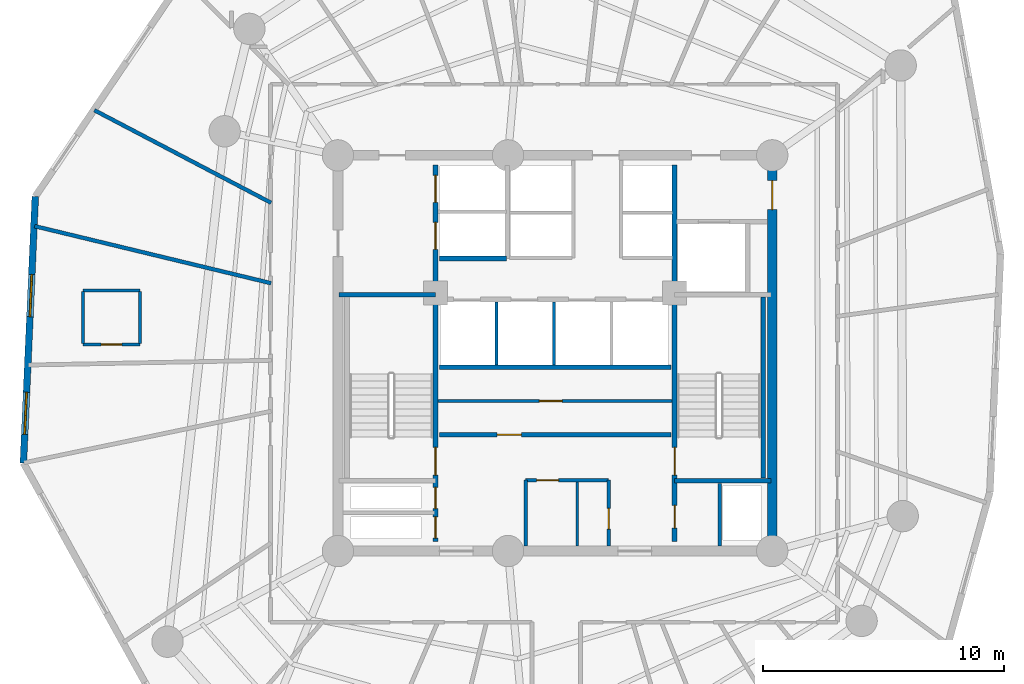
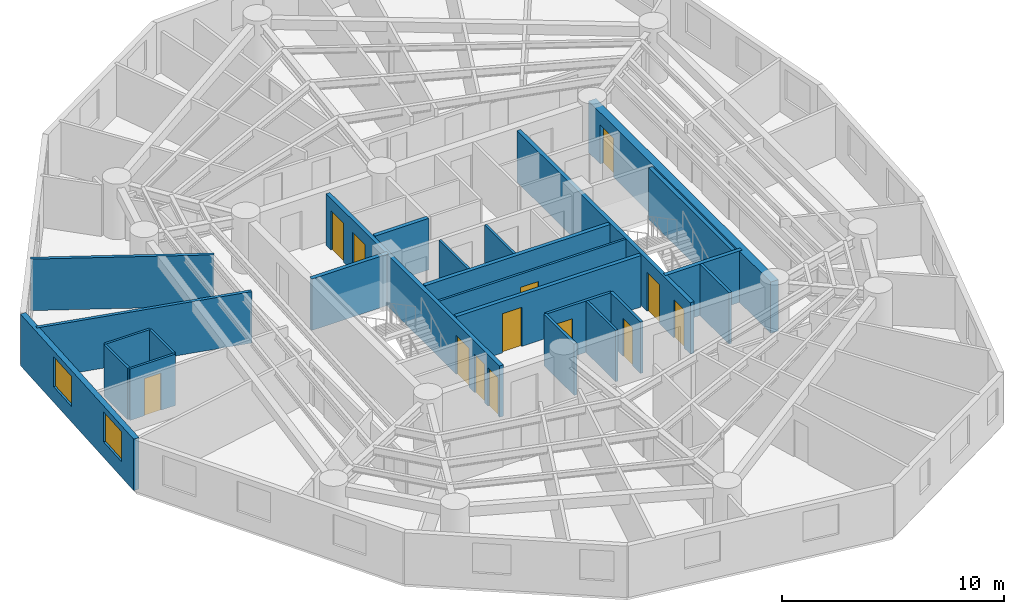
# One storey, part 4 of 8: 24 walls, 13 doors, 2 windows, 15 openings.
"""IFC4 building model written with IfcOpenShell, lengths in metres."""

from ifc_helpers import new_model, si_unit, direction, frame, frame_2d, origin, origin_with_axes, place, context, subcontext, project, spatial, rectangle, extrude, source, transform, mapped, material, layer, layer_set, type_object, element, fill, save


model = new_model("IFC4")

# Units and contexts
model_context = context("Model", 3, precision=1e-05, world=origin(), true_north=direction((0.0, 1.0)))
body_context = subcontext(model_context, "Body", "Model", "MODEL_VIEW")
ifc_project = project(units=[si_unit("LENGTHUNIT", "METRE"), si_unit("AREAUNIT", "SQUARE_METRE"), si_unit("VOLUMEUNIT", "CUBIC_METRE"), si_unit("PLANEANGLEUNIT", "RADIAN"), si_unit("MASSUNIT", "GRAM", prefix="KILO")], contexts=[model_context])

# Site, building, storey
site_placement = place(None, origin())
site = spatial("IfcSite", under=ifc_project, at=site_placement, CompositionType="ELEMENT")
building_placement = place(site_placement, origin())
building = spatial("IfcBuilding", under=site, at=building_placement, Name="Karkom Vertical University and Central Library", CompositionType="ELEMENT")
storey_placement = place(building_placement, frame((0.0, 0.0, 180.949951171875)))
storey = spatial("IfcBuildingStorey", under=building, at=storey_placement, Name="L52", CompositionType="ELEMENT", Elevation=180.949951171875)

# Wall, openings, windows
ifc_material_1 = material(Name="Brick-faced precast concrete C45/55", Category="masonry")
ifc_layer_1 = layer(ifc_material_1, 0.280029296875)
ifc_layer_set_1 = layer_set([ifc_layer_1], Name="Brick-faced precast concrete C45/55")
wall_type_1 = type_object("IfcWallType", Name="ENV-WL-BRK-280", PredefinedType="SOLIDWALL", material=ifc_layer_set_1)
wall_1_placement = place(storey_placement, frame((6.95703125, 33.000244140625, 0.0), z_axis=(0.0, 0.0, 1.0), x_axis=(-0.04466588637, -0.999001981277, 0.0)))
wall_1 = element("IfcWall", 1, at=wall_1_placement, inside=storey, type_object=wall_type_1, Name="Level 52 Brick-Faced Precast Facade Wall 01", PredefinedType="SOLIDWALL", context=body_context, shape_type="SweptSolid", body=[
    extrude(rectangle(XDim=11.06298828125, YDim=0.280029296875, at=frame_2d((5.531494140625, 0.0))), origin(), (0.0, 0.0, 1.0), 2.824951171875),
])
opening_1_placement = place(wall_1_placement, frame((3.24169921875, 0.0, 0.85009765625)))
opening_1 = element("IfcOpeningElement", 2, at=opening_1_placement, cuts=wall_1, Name="Opening WN-08", PredefinedType="OPENING", context=body_context, shape_type="SweptSolid", body=[
    extrude(rectangle(XDim=1.75, YDim=1.64990234375, at=frame_2d((0.875, 0.824951171875))), frame((0.0, 0.14990234375, 0.0), z_axis=(0.0, -1.0, 0.0), x_axis=(1.0, 0.0, 0.0)), (0.0, 0.0, 1.0), 0.300048828125),
])
opening_2_placement = place(wall_1_placement, frame((8.123291015625, 0.0, 0.85009765625)))
opening_2 = element("IfcOpeningElement", 3, at=opening_2_placement, cuts=wall_1, Name="Opening WN-08", PredefinedType="OPENING", context=body_context, shape_type="SweptSolid", body=[
    extrude(rectangle(XDim=1.75, YDim=1.64990234375, at=frame_2d((0.875, 0.824951171875))), frame((0.0, 0.14990234375, 0.0), z_axis=(0.0, -1.0, 0.0), x_axis=(1.0, 0.0, 0.0)), (0.0, 0.0, 1.0), 0.300048828125),
])
ifc_material_2 = material(Name="Aluminium thermal-break frame with solar-control IGU", Category="aluminium")
window_type = type_object("IfcWindowType", Name="ENV-WIN-WN-08", PartitioningType="SINGLE_PANEL", PredefinedType="WINDOW", material=ifc_material_2)
shared_shape_1 = source(origin_with_axes(), body_context, "Body", "SweptSolid", [
    extrude(rectangle(XDim=1.75, YDim=1.64990234375, at=frame_2d((0.875, 0.824951171875))), frame((0.0, 0.030029296875, 0.0), z_axis=(0.0, -1.0, 0.0), x_axis=(1.0, 0.0, 0.0)), (0.0, 0.0, 1.0), 0.06005859375),
])
window_1_placement = place(opening_1_placement, origin())
window_1 = element("IfcWindow", 4, at=window_1_placement, inside=storey, type_object=window_type, Name="Level 52 Punched Window 1.1", OverallHeight=1.64990234375, OverallWidth=1.75, PartitioningType="SINGLE_PANEL", PredefinedType="WINDOW", context=body_context, shape_type="MappedRepresentation", body=[
    mapped(shared_shape_1, transform((0.0, 0.0, 0.0), scale=1.0)),
])
fill(opening_1, window_1)
window_2_placement = place(opening_2_placement, origin())
window_2 = element("IfcWindow", 5, at=window_2_placement, inside=storey, type_object=window_type, Name="Level 52 Punched Window 1.2", OverallHeight=1.64990234375, OverallWidth=1.75, PartitioningType="SINGLE_PANEL", PredefinedType="WINDOW", context=body_context, shape_type="MappedRepresentation", body=[
    mapped(shared_shape_1, transform((0.0, 0.0, 0.0), scale=1.0)),
])
fill(opening_2, window_2)

# Walls
ifc_material_3 = material(Name="Insulated metal-stud drywall 160mm", Category="gypsum")
ifc_layer_2 = layer(ifc_material_3, 0.159912109375)
ifc_layer_set_2 = layer_set([ifc_layer_2], Name="Insulated metal-stud drywall 160mm")
wall_type_2 = type_object("IfcWallType", Name="INT-WL-COR-160", PredefinedType="PARTITIONING", material=ifc_layer_set_2)
wall_2_placement = place(storey_placement, frame((16.729248046875, 29.40185546875, 0.0), z_axis=(0.0, 0.0, 1.0), x_axis=(-0.97210105982, 0.234562421324, 0.0)))
element("IfcWall", 6, at=wall_2_placement, inside=storey, type_object=wall_type_2, Name="Level 52 Interior Partition Wall L52-PW-036", PredefinedType="PARTITIONING", context=body_context, shape_type="SweptSolid", body=[
    extrude(rectangle(XDim=10.08251953125, YDim=0.159912109375, at=frame_2d((5.041259765625, 0.0))), origin(), (0.0, 0.0, 1.0), 2.824951171875),
])
wall_3_placement = place(storey_placement, frame((16.7265625, 32.735595703125, 0.0), z_axis=(0.0, 0.0, 1.0), x_axis=(-0.885802050451, 0.46406327954, 0.0)))
element("IfcWall", 7, at=wall_3_placement, inside=storey, type_object=wall_type_2, Name="Level 52 Interior Partition Wall L52-PW-035", PredefinedType="PARTITIONING", context=body_context, shape_type="SweptSolid", body=[
    extrude(rectangle(XDim=8.265869140625, YDim=0.159912109375, at=frame_2d((4.1328125, 0.0))), origin(), (0.0, 0.0, 1.0), 2.824951171875),
])
ifc_material_4 = material(Name="Moisture-resistant drywall 120mm", Category="gypsum")
ifc_layer_3 = layer(ifc_material_4, 0.1201171875)
ifc_layer_set_3 = layer_set([ifc_layer_3], Name="Moisture-resistant drywall 120mm")
wall_type_3 = type_object("IfcWallType", Name="INT-WL-INT-120", PredefinedType="PARTITIONING", material=ifc_layer_set_3)
wall_4_placement = place(storey_placement, frame((29.419921875, 18.507080078125, 0.0), z_axis=(0.0, 0.0, 1.0), x_axis=(0.0, 1.0, 0.0)))
element("IfcWall", 8, at=wall_4_placement, inside=storey, type_object=wall_type_3, Name="Level 52 Interior Partition Wall L52-CW-K3-DIV", PredefinedType="PARTITIONING", context=body_context, shape_type="SweptSolid", body=[
    extrude(rectangle(XDim=2.66162109375, YDim=0.1201171875, at=frame_2d((1.330810546875, 0.0))), origin(), (0.0, 0.0, 1.0), 2.824951171875),
])

# Wall, opening, door
ifc_layer_4 = layer(ifc_material_4, 0.1201171875)
ifc_layer_set_4 = layer_set([ifc_layer_4], Name="Moisture-resistant drywall 120mm")
wall_type_4 = type_object("IfcWallType", Name="INT-WL-INT-120F", PredefinedType="PARTITIONING", material=ifc_layer_set_4)
wall_5_placement = place(storey_placement, frame((23.652099609375, 24.52001953125, 0.0), z_axis=(0.0, 0.0, 1.0), x_axis=(1.0, 0.0, 0.0)))
wall_5 = element("IfcWall", 9, at=wall_5_placement, inside=storey, type_object=wall_type_4, Name="Level 52 Interior Partition Wall L52-CW-B1-K3H", PredefinedType="PARTITIONING", context=body_context, shape_type="SweptSolid", body=[
    extrude(rectangle(XDim=9.697509765625, YDim=0.1201171875, at=frame_2d((4.8486328125, 0.0))), origin(), (0.0, 0.0, 1.0), 2.824951171875),
])
opening_3_placement = place(wall_5_placement, frame((4.199951171875, 0.0, 0.0)))
opening_3 = element("IfcOpeningElement", 10, at=opening_3_placement, cuts=wall_5, Name="Opening D-WC1", PredefinedType="OPENING", context=body_context, shape_type="SweptSolid", body=[
    extrude(rectangle(XDim=0.93994140625, YDim=2.10009765625, at=frame_2d((0.469970703125, 1.050048828125))), frame((0.0, 0.070068359375, 0.0), z_axis=(0.0, -1.0, 0.0), x_axis=(1.0, 0.0, 0.0)), (0.0, 0.0, 1.0), 0.14013671875),
])
ifc_material_5 = material(Name="Fire-rated laminate moisture-resistant door", Category="wood")
door_type_1 = type_object("IfcDoorType", Name="INT-DR-WC1", OperationType="NOTDEFINED", PredefinedType="DOOR", material=ifc_material_5)
shared_shape_2 = source(origin_with_axes(), body_context, "Body", "SweptSolid", [
    extrude(rectangle(XDim=0.93994140625, YDim=2.10009765625, at=frame_2d((0.469970703125, 1.050048828125))), frame((0.0, 0.02490234375, 0.0), z_axis=(0.0, -1.0, 0.0), x_axis=(1.0, 0.0, 0.0)), (0.0, 0.0, 1.0), 0.050048828125),
])
door_1_placement = place(opening_3_placement, origin())
door_1 = element("IfcDoor", 11, at=door_1_placement, inside=storey, type_object=door_type_1, Name="Level 52 B1 Core WC Strip Door", OperationType="SINGLE_SWING_RIGHT", OverallHeight=2.10009765625, OverallWidth=0.93994140625, PredefinedType="DOOR", context=body_context, shape_type="MappedRepresentation", body=[
    mapped(shared_shape_2, transform((0.0, 0.0, 0.0), scale=1.0)),
])
fill(opening_3, door_1)

wall_6_placement = place(storey_placement, frame((8.93408203125, 26.860107421875, 0.0), z_axis=(0.0, 0.0, 1.0), x_axis=(1.0, 0.0, 0.0)))
wall_6 = element("IfcWall", 12, at=wall_6_placement, inside=storey, type_object=wall_type_4, Name="Level 52 Interior Partition Wall L52-ENS-96-S", PredefinedType="PARTITIONING", context=body_context, shape_type="SweptSolid", body=[
    extrude(rectangle(XDim=2.35986328125, YDim=0.1201171875, at=frame_2d((1.179931640625, 0.0))), origin(), (0.0, 0.0, 1.0), 2.824951171875),
])
opening_4_placement = place(wall_6_placement, frame((0.75, 0.0, 0.0)))
opening_4 = element("IfcOpeningElement", 13, at=opening_4_placement, cuts=wall_6, Name="Opening D-BTH2", PredefinedType="OPENING", context=body_context, shape_type="SweptSolid", body=[
    extrude(rectangle(XDim=0.860107421875, YDim=2.0400390625, at=frame_2d((0.43017578125, 1.02001953125))), frame((0.0, 0.070068359375, 0.0), z_axis=(0.0, -1.0, 0.0), x_axis=(1.0, 0.0, 0.0)), (0.0, 0.0, 1.0), 0.14013671875),
])
ifc_material_6 = material(Name="Moisture-resistant oak door", Category="wood")
door_type_2 = type_object("IfcDoorType", Name="INT-DR-DBTH2", OperationType="NOTDEFINED", PredefinedType="DOOR", material=ifc_material_6)
shared_shape_3 = source(origin_with_axes(), body_context, "Body", "SweptSolid", [
    extrude(rectangle(XDim=0.860107421875, YDim=2.0400390625, at=frame_2d((0.43017578125, 1.02001953125))), frame((0.0, 0.02490234375, 0.0), z_axis=(0.0, -1.0, 0.0), x_axis=(1.0, 0.0, 0.0)), (0.0, 0.0, 1.0), 0.050048828125),
])
door_2_placement = place(opening_4_placement, origin())
door_2 = element("IfcDoor", 14, at=door_2_placement, inside=storey, type_object=door_type_2, Name="Level 52 En-Suite Bathroom Door 96", OperationType="SINGLE_SWING_RIGHT", OverallHeight=2.0400390625, OverallWidth=0.860107421875, PredefinedType="DOOR", context=body_context, shape_type="MappedRepresentation", body=[
    mapped(shared_shape_3, transform((0.0, 0.0, 0.0), scale=1.0)),
])
fill(opening_4, door_2)

# Walls
wall_7_placement = place(storey_placement, frame((11.2939453125, 29.10009765625, 0.0), z_axis=(0.0, 0.0, 1.0), x_axis=(-1.0, 0.0, 0.0)))
element("IfcWall", 15, at=wall_7_placement, inside=storey, type_object=wall_type_4, Name="Level 52 Interior Partition Wall L52-ENS-96-N", PredefinedType="PARTITIONING", context=body_context, shape_type="SweptSolid", body=[
    extrude(rectangle(XDim=2.35986328125, YDim=0.1201171875, at=frame_2d((1.179931640625, 0.0))), origin(), (0.0, 0.0, 1.0), 2.824951171875),
])
for number, where, z_axis, x_axis, name in (
    (16, (11.2939453125, 26.909912109375, 0.0), (0.0, 0.0, 1.0), (0.0, 1.0, 0.0), "Level 52 Interior Partition Wall L52-ENS-96-E"),
    (17, (8.93408203125, 29.050048828125, 0.0), (0.0, 0.0, 1.0), (0.0, -1.0, 0.0), "Level 52 Interior Partition Wall L52-ENS-96-W"),
):
    element("IfcWall", number, at=place(storey_placement, frame(where, z_axis=z_axis, x_axis=x_axis)), inside=storey, type_object=wall_type_4, Name=name, PredefinedType="PARTITIONING", context=body_context, shape_type="SweptSolid", body=[
        extrude(rectangle(XDim=2.14013671875, YDim=0.1201171875, at=frame_2d((1.070068359375, 0.0))), origin(), (0.0, 0.0, 1.0), 2.824951171875),
    ])
ifc_layer_5 = layer(ifc_material_4, 0.1201171875)
ifc_layer_set_5 = layer_set([ifc_layer_5], Name="Moisture-resistant drywall 120mm")
wall_type_5 = type_object("IfcWallType", Name="INT-WL-INT-120H", PredefinedType="PARTITIONING", material=ifc_layer_set_5)
for number, where, z_axis, x_axis, name in (
    (18, (26.080078125, 26.02001953125, 0.0), (0.0, 0.0, 1.0), (0.0, 1.0, 0.0), "Level 52 Interior Partition Wall L52-CW-PM-DIV1"),
    (19, (28.4599609375, 26.02001953125, 0.0), (0.0, 0.0, 1.0), (0.0, 1.0, 0.0), "Level 52 Interior Partition Wall L52-CW-PM-DIV2"),
):
    element("IfcWall", number, at=place(storey_placement, frame(where, z_axis=z_axis, x_axis=x_axis)), inside=storey, type_object=wall_type_5, Name=name, PredefinedType="PARTITIONING", context=body_context, shape_type="SweptSolid", body=[
        extrude(rectangle(XDim=2.60009765625, YDim=0.1201171875, at=frame_2d((1.300048828125, 0.0))), origin(), (0.0, 0.0, 1.0), 2.824951171875),
    ])

# Wall, opening, door
ifc_material_7 = material(Name="Metal-stud gypsum partition 140mm", Category="gypsum")
ifc_layer_6 = layer(ifc_material_7, 0.139892578125)
ifc_layer_set_6 = layer_set([ifc_layer_6], Name="Metal-stud gypsum partition 140mm")
wall_type_6 = type_object("IfcWallType", Name="INT-WL-SUB-140", PredefinedType="PARTITIONING", material=ifc_layer_set_6)
wall_8_placement = place(storey_placement, frame((27.280029296875, 21.239990234375, 0.0), z_axis=(0.0, 0.0, 1.0), x_axis=(1.0, 0.0, 0.0)))
wall_8 = element("IfcWall", 20, at=wall_8_placement, inside=storey, type_object=wall_type_6, Name="Level 52 Interior Partition Wall L52-CW-KBAY-N", PredefinedType="PARTITIONING", context=body_context, shape_type="SweptSolid", body=[
    extrude(rectangle(XDim=3.43994140625, YDim=0.139892578125, at=frame_2d((1.719970703125, 0.0))), origin(), (0.0, 0.0, 1.0), 2.824951171875),
])
opening_5_placement = place(wall_8_placement, frame((0.449951171875, 0.0, 0.0)))
opening_5 = element("IfcOpeningElement", 21, at=opening_5_placement, cuts=wall_8, Name="Opening D-SVC1", PredefinedType="OPENING", context=body_context, shape_type="SweptSolid", body=[
    extrude(rectangle(XDim=0.919921875, YDim=2.10009765625, at=frame_2d((0.4599609375, 1.050048828125))), frame((0.0, 0.080078125, 0.0), z_axis=(0.0, -1.0, 0.0), x_axis=(1.0, 0.0, 0.0)), (0.0, 0.0, 1.0), 0.159912109375),
])
ifc_material_8 = material(Name="Painted timber service door", Category="wood")
door_type_3 = type_object("IfcDoorType", Name="INT-DR-SVC1", OperationType="NOTDEFINED", PredefinedType="DOOR", material=ifc_material_8)
shared_shape_4 = source(origin_with_axes(), body_context, "Body", "SweptSolid", [
    extrude(rectangle(XDim=0.919921875, YDim=2.10009765625, at=frame_2d((0.4599609375, 1.050048828125))), frame((0.0, 0.02490234375, 0.0), z_axis=(0.0, -1.0, 0.0), x_axis=(1.0, 0.0, 0.0)), (0.0, 0.0, 1.0), 0.050048828125),
])
door_3_placement = place(opening_5_placement, origin())
door_3 = element("IfcDoor", 22, at=door_3_placement, inside=storey, type_object=door_type_3, Name="Level 52 Copy Room Door", OperationType="SINGLE_SWING_LEFT", OverallHeight=2.10009765625, OverallWidth=0.919921875, PredefinedType="DOOR", context=body_context, shape_type="MappedRepresentation", body=[
    mapped(shared_shape_4, transform((0.0, 0.0, 0.0), scale=1.0)),
])
fill(opening_5, door_3)

# Wall
wall_9_placement = place(storey_placement, frame((27.280029296875, 18.507080078125, 0.0), z_axis=(0.0, 0.0, 1.0), x_axis=(0.0, 1.0, 0.0)))
element("IfcWall", 23, at=wall_9_placement, inside=storey, type_object=wall_type_6, Name="Level 52 Interior Partition Wall L52-CW-KBAY-W", PredefinedType="PARTITIONING", context=body_context, shape_type="SweptSolid", body=[
    extrude(rectangle(XDim=2.73291015625, YDim=0.139892578125, at=frame_2d((1.366455078125, 0.0))), origin(), (0.0, 0.0, 1.0), 2.824951171875),
])

# Wall, opening, door
wall_10_placement = place(storey_placement, frame((30.719970703125, 18.507080078125, 0.0), z_axis=(0.0, 0.0, 1.0), x_axis=(0.0, 1.0, 0.0)))
wall_10 = element("IfcWall", 24, at=wall_10_placement, inside=storey, type_object=wall_type_6, Name="Level 52 Interior Partition Wall L52-CW-KBAY-E", PredefinedType="PARTITIONING", context=body_context, shape_type="SweptSolid", body=[
    extrude(rectangle(XDim=2.73291015625, YDim=0.139892578125, at=frame_2d((1.366455078125, 0.0))), origin(), (0.0, 0.0, 1.0), 2.824951171875),
])
opening_6_placement = place(wall_10_placement, frame((0.699951171875, 0.0, 0.0)))
opening_6 = element("IfcOpeningElement", 25, at=opening_6_placement, cuts=wall_10, Name="Opening D-BATH", PredefinedType="OPENING", context=body_context, shape_type="SweptSolid", body=[
    extrude(rectangle(XDim=0.860107421875, YDim=2.10009765625, at=frame_2d((0.43017578125, 1.050048828125))), frame((0.0, 0.080078125, 0.0), z_axis=(0.0, -1.0, 0.0), x_axis=(1.0, 0.0, 0.0)), (0.0, 0.0, 1.0), 0.159912109375),
])
door_type_4 = type_object("IfcDoorType", Name="INT-DR-BATH", OperationType="NOTDEFINED", PredefinedType="DOOR", material=ifc_material_6)
shared_shape_5 = source(origin_with_axes(), body_context, "Body", "SweptSolid", [
    extrude(rectangle(XDim=0.860107421875, YDim=2.10009765625, at=frame_2d((0.43017578125, 1.050048828125))), frame((0.0, 0.02490234375, 0.0), z_axis=(0.0, -1.0, 0.0), x_axis=(1.0, 0.0, 0.0)), (0.0, 0.0, 1.0), 0.050048828125),
])
door_4_placement = place(opening_6_placement, origin())
door_4 = element("IfcDoor", 26, at=door_4_placement, inside=storey, type_object=door_type_4, Name="Level 52 Janitor Door", OperationType="SINGLE_SWING_RIGHT", OverallHeight=2.10009765625, OverallWidth=0.860107421875, PredefinedType="DOOR", context=body_context, shape_type="MappedRepresentation", body=[
    mapped(shared_shape_5, transform((0.0, 0.0, 0.0), scale=1.0)),
])
fill(opening_6, door_4)

# Wall
ifc_layer_7 = layer(ifc_material_7, 0.139892578125)
ifc_layer_set_7 = layer_set([ifc_layer_7], Name="Metal-stud gypsum partition 140mm")
wall_type_7 = type_object("IfcWallType", Name="INT-WL-SUB-140H", PredefinedType="PARTITIONING", material=ifc_layer_set_7)
wall_11_placement = place(storey_placement, frame((35.320068359375, 18.507080078125, 0.0), z_axis=(0.0, 0.0, 1.0), x_axis=(0.0, 1.0, 0.0)))
element("IfcWall", 27, at=wall_11_placement, inside=storey, type_object=wall_type_7, Name="Level 52 Interior Partition Wall L52-CW-RIS-E", PredefinedType="PARTITIONING", context=body_context, shape_type="SweptSolid", body=[
    extrude(rectangle(XDim=2.603759765625, YDim=0.139892578125, at=frame_2d((1.3017578125, 0.0))), origin(), (0.0, 0.0, 1.0), 2.824951171875),
])

# Wall, opening, door
ifc_material_9 = material(Name="Concrete C50/60", Category="concrete")
ifc_layer_8 = layer(ifc_material_9, 0.39990234375)
ifc_layer_set_8 = layer_set([ifc_layer_8], Name="Concrete C50/60")
wall_type_8 = type_object("IfcWallType", Name="STR-WL-CW-400", PredefinedType="SHEAR", material=ifc_layer_set_8)
wall_12_placement = place(storey_placement, frame((37.5, 18.300048828125, 0.0), z_axis=(0.0, 0.0, 1.0), x_axis=(0.0, 1.0, 0.0)))
wall_12 = element("IfcWall", 28, at=wall_12_placement, inside=storey, type_object=wall_type_8, Name="Level 52 Central Core Shear Wall EW", PredefinedType="SHEAR", context=body_context, shape_type="SweptSolid", body=[
    extrude(rectangle(XDim=16.39990234375, YDim=0.39990234375, at=frame_2d((8.199951171875, 0.0))), origin(), (0.0, 0.0, 1.0), 2.824951171875),
])
opening_7_placement = place(wall_12_placement, frame((14.14990234375, 0.0, 0.0)))
opening_7 = element("IfcOpeningElement", 29, at=opening_7_placement, cuts=wall_12, Name="Opening FD-SUB1", PredefinedType="OPENING", context=body_context, shape_type="SweptSolid", body=[
    extrude(rectangle(XDim=1.199951171875, YDim=2.14990234375, at=frame_2d((0.60009765625, 1.074951171875))), frame((0.0, 0.2099609375, 0.0), z_axis=(0.0, -1.0, 0.0), x_axis=(1.0, 0.0, 0.0)), (0.0, 0.0, 1.0), 0.419921875),
])
ifc_material_10 = material(Name="Painted steel fire door", Category="steel")
door_type_5 = type_object("IfcDoorType", Name="INT-DR-SUB1", OperationType="NOTDEFINED", PredefinedType="DOOR", material=ifc_material_10)
shared_shape_6 = source(origin_with_axes(), body_context, "Body", "SweptSolid", [
    extrude(rectangle(XDim=1.199951171875, YDim=2.14990234375, at=frame_2d((0.60009765625, 1.074951171875))), frame((0.0, 0.02490234375, 0.0), z_axis=(0.0, -1.0, 0.0), x_axis=(1.0, 0.0, 0.0)), (0.0, 0.0, 1.0), 0.050048828125),
])
door_5_placement = place(opening_7_placement, origin())
door_5 = element("IfcDoor", 30, at=door_5_placement, inside=storey, type_object=door_type_5, Name="Level 52 East Corridor Service Lobby Door", OperationType="SINGLE_SWING_RIGHT", OverallHeight=2.14990234375, OverallWidth=1.199951171875, PredefinedType="DOOR", context=body_context, shape_type="MappedRepresentation", body=[
    mapped(shared_shape_6, transform((0.0, 0.0, 0.0), scale=1.0)),
])
fill(opening_7, door_5)

# Wall, openings, doors
ifc_material_11 = material(Name="Concrete C45/55", Category="concrete")
ifc_layer_9 = layer(ifc_material_11, 0.199951171875)
ifc_layer_set_9 = layer_set([ifc_layer_9], Name="Concrete C45/55")
wall_type_9 = type_object("IfcWallType", Name="STR-WL-ST-200", PredefinedType="SHEAR", material=ifc_layer_set_9)
wall_13_placement = place(storey_placement, frame((23.544921875, 18.699951171875, 0.0), z_axis=(0.0, 0.0, 1.0), x_axis=(0.0, 1.0, 0.0)))
wall_13 = element("IfcWall", 31, at=wall_13_placement, inside=storey, type_object=wall_type_9, Name="Level 52 Core Shaft Wall L52-CW-ST1-E", PredefinedType="SHEAR", context=body_context, shape_type="SweptSolid", body=[
    extrude(rectangle(XDim=15.60009765625, YDim=0.199951171875, at=frame_2d((7.800048828125, 0.0))), origin(), (0.0, 0.0, 1.0), 2.824951171875),
])
opening_8_placement = place(wall_13_placement, frame((2.75, 0.0, 0.0)))
opening_8 = element("IfcOpeningElement", 32, at=opening_8_placement, cuts=wall_13, Name="Opening FD-ST1", PredefinedType="OPENING", context=body_context, shape_type="SweptSolid", body=[
    extrude(rectangle(XDim=1.14990234375, YDim=2.14990234375, at=frame_2d((0.574951171875, 1.074951171875))), frame((0.0, 0.10986328125, 0.0), z_axis=(0.0, -1.0, 0.0), x_axis=(1.0, 0.0, 0.0)), (0.0, 0.0, 1.0), 0.219970703125),
])
opening_9_placement = place(wall_13_placement, frame((0.139892578125, 0.0, 0.0)))
opening_9 = element("IfcOpeningElement", 33, at=opening_9_placement, cuts=wall_13, Name="Opening FD-RIS", PredefinedType="OPENING", context=body_context, shape_type="SweptSolid", body=[
    extrude(rectangle(XDim=0.8798828125, YDim=2.10009765625, at=frame_2d((0.43994140625, 1.050048828125))), frame((0.0, 0.10986328125, 0.0), z_axis=(0.0, -1.0, 0.0), x_axis=(1.0, 0.0, 0.0)), (0.0, 0.0, 1.0), 0.219970703125),
])
opening_10_placement = place(wall_13_placement, frame((1.360107421875, 0.0, 0.0)))
opening_10 = element("IfcOpeningElement", 34, at=opening_10_placement, cuts=wall_13, Name="Opening FD-RIS", PredefinedType="OPENING", context=body_context, shape_type="SweptSolid", body=[
    extrude(rectangle(XDim=0.8798828125, YDim=2.10009765625, at=frame_2d((0.43994140625, 1.050048828125))), frame((0.0, 0.10986328125, 0.0), z_axis=(0.0, -1.0, 0.0), x_axis=(1.0, 0.0, 0.0)), (0.0, 0.0, 1.0), 0.219970703125),
])
opening_11_placement = place(wall_13_placement, frame((12.10009765625, 0.0, 0.0)))
opening_11 = element("IfcOpeningElement", 35, at=opening_11_placement, cuts=wall_13, Name="Opening LD-FFL", PredefinedType="OPENING", context=body_context, shape_type="SweptSolid", body=[
    extrude(rectangle(XDim=1.1201171875, YDim=2.14990234375, at=frame_2d((0.56005859375, 1.074951171875))), frame((0.0, 0.10986328125, 0.0), z_axis=(0.0, -1.0, 0.0), x_axis=(1.0, 0.0, 0.0)), (0.0, 0.0, 1.0), 0.219970703125),
])
opening_12_placement = place(wall_13_placement, frame((14.050048828125, 0.0, 0.0)))
opening_12 = element("IfcOpeningElement", 36, at=opening_12_placement, cuts=wall_13, Name="Opening LD-FFL", PredefinedType="OPENING", context=body_context, shape_type="SweptSolid", body=[
    extrude(rectangle(XDim=1.1201171875, YDim=2.14990234375, at=frame_2d((0.56005859375, 1.074951171875))), frame((0.0, 0.10986328125, 0.0), z_axis=(0.0, -1.0, 0.0), x_axis=(1.0, 0.0, 0.0)), (0.0, 0.0, 1.0), 0.219970703125),
])
ifc_material_12 = material(Name="Painted steel acoustic fire door", Category="steel")
door_type_6 = type_object("IfcDoorType", Name="INT-DR-ST1", OperationType="NOTDEFINED", PredefinedType="DOOR", material=ifc_material_12)
shared_shape_7 = source(origin_with_axes(), body_context, "Body", "SweptSolid", [
    extrude(rectangle(XDim=1.14990234375, YDim=2.14990234375, at=frame_2d((0.574951171875, 1.074951171875))), frame((0.0, 0.02490234375, 0.0), z_axis=(0.0, -1.0, 0.0), x_axis=(1.0, 0.0, 0.0)), (0.0, 0.0, 1.0), 0.050048828125),
])
door_6_placement = place(opening_8_placement, origin())
door_6 = element("IfcDoor", 37, at=door_6_placement, inside=storey, type_object=door_type_6, Name="Level 52 Stair ST-1 Fire Door", OperationType="SINGLE_SWING_RIGHT", OverallHeight=2.14990234375, OverallWidth=1.14990234375, PredefinedType="DOOR", context=body_context, shape_type="MappedRepresentation", body=[
    mapped(shared_shape_7, transform((0.0, 0.0, 0.0), scale=1.0)),
])
fill(opening_8, door_6)
ifc_material_13 = material(Name="Painted steel riser access door", Category="steel")
door_type_7 = type_object("IfcDoorType", Name="INT-DR-RIS", OperationType="NOTDEFINED", PredefinedType="DOOR", material=ifc_material_13)
shared_shape_8 = source(origin_with_axes(), body_context, "Body", "SweptSolid", [
    extrude(rectangle(XDim=0.8798828125, YDim=2.10009765625, at=frame_2d((0.43994140625, 1.050048828125))), frame((0.0, 0.02490234375, 0.0), z_axis=(0.0, -1.0, 0.0), x_axis=(1.0, 0.0, 0.0)), (0.0, 0.0, 1.0), 0.050048828125),
])
door_7_placement = place(opening_9_placement, origin())
door_7 = element("IfcDoor", 38, at=door_7_placement, inside=storey, type_object=door_type_7, Name="Level 52 Electrical Riser Access Door", OperationType="SINGLE_SWING_RIGHT", OverallHeight=2.10009765625, OverallWidth=0.8798828125, PredefinedType="DOOR", context=body_context, shape_type="MappedRepresentation", body=[
    mapped(shared_shape_8, transform((0.0, 0.0, 0.0), scale=1.0)),
])
fill(opening_9, door_7)
door_8_placement = place(opening_10_placement, origin())
door_8 = element("IfcDoor", 39, at=door_8_placement, inside=storey, type_object=door_type_7, Name="Level 52 Telecom Riser Access Door", OperationType="SINGLE_SWING_LEFT", OverallHeight=2.10009765625, OverallWidth=0.8798828125, PredefinedType="DOOR", context=body_context, shape_type="MappedRepresentation", body=[
    mapped(shared_shape_8, transform((0.0, 0.0, 0.0), scale=1.0)),
])
fill(opening_10, door_8)
ifc_material_14 = material(Name="Fire-rated stainless-steel landing door", Category="steel")
door_type_8 = type_object("IfcDoorType", Name="INT-DR-LD-FFL", OperationType="SLIDING_TO_LEFT", PredefinedType="DOOR", material=ifc_material_14)
shared_shape_9 = source(origin_with_axes(), body_context, "Body", "SweptSolid", [
    extrude(rectangle(XDim=1.1201171875, YDim=2.14990234375, at=frame_2d((0.56005859375, 1.074951171875))), frame((0.0, 0.02490234375, 0.0), z_axis=(0.0, -1.0, 0.0), x_axis=(1.0, 0.0, 0.0)), (0.0, 0.0, 1.0), 0.050048828125),
])
door_9_placement = place(opening_11_placement, origin())
door_9 = element("IfcDoor", 40, at=door_9_placement, inside=storey, type_object=door_type_8, Name="Level 52 Firefighting Lift FFL-1 Landing Door", OperationType="SLIDING_TO_LEFT", OverallHeight=2.14990234375, OverallWidth=1.1201171875, PredefinedType="DOOR", context=body_context, shape_type="MappedRepresentation", body=[
    mapped(shared_shape_9, transform((0.0, 0.0, 0.0), scale=1.0)),
])
fill(opening_11, door_9)
door_10_placement = place(opening_12_placement, origin())
door_10 = element("IfcDoor", 41, at=door_10_placement, inside=storey, type_object=door_type_8, Name="Level 52 Firefighting Lift FFL-2 Landing Door", OperationType="SLIDING_TO_RIGHT", OverallHeight=2.14990234375, OverallWidth=1.1201171875, PredefinedType="DOOR", context=body_context, shape_type="MappedRepresentation", body=[
    mapped(shared_shape_9, transform((0.0, 0.0, 0.0), scale=1.0)),
])
fill(opening_12, door_10)

wall_14_placement = place(storey_placement, frame((33.455078125, 18.699951171875, 0.0), z_axis=(0.0, 0.0, 1.0), x_axis=(0.0, 1.0, 0.0)))
wall_14 = element("IfcWall", 42, at=wall_14_placement, inside=storey, type_object=wall_type_9, Name="Level 52 Core Shaft Wall L52-CW-ST2-W", PredefinedType="SHEAR", context=body_context, shape_type="SweptSolid", body=[
    extrude(rectangle(XDim=15.60009765625, YDim=0.199951171875, at=frame_2d((7.800048828125, 0.0))), origin(), (0.0, 0.0, 1.0), 2.824951171875),
])
opening_13_placement = place(wall_14_placement, frame((2.75, 0.0, 0.0)))
opening_13 = element("IfcOpeningElement", 43, at=opening_13_placement, cuts=wall_14, Name="Opening FD-ST1", PredefinedType="OPENING", context=body_context, shape_type="SweptSolid", body=[
    extrude(rectangle(XDim=1.14990234375, YDim=2.14990234375, at=frame_2d((0.574951171875, 1.074951171875))), frame((0.0, 0.10986328125, 0.0), z_axis=(0.0, -1.0, 0.0), x_axis=(1.0, 0.0, 0.0)), (0.0, 0.0, 1.0), 0.219970703125),
])
opening_14_placement = place(wall_14_placement, frame((0.550048828125, 0.0, 0.0)))
opening_14 = element("IfcOpeningElement", 44, at=opening_14_placement, cuts=wall_14, Name="Opening D-WC1", PredefinedType="OPENING", context=body_context, shape_type="SweptSolid", body=[
    extrude(rectangle(XDim=0.93994140625, YDim=2.10009765625, at=frame_2d((0.469970703125, 1.050048828125))), frame((0.0, 0.10986328125, 0.0), z_axis=(0.0, -1.0, 0.0), x_axis=(1.0, 0.0, 0.0)), (0.0, 0.0, 1.0), 0.219970703125),
])
door_11_placement = place(opening_13_placement, origin())
door_11 = element("IfcDoor", 45, at=door_11_placement, inside=storey, type_object=door_type_6, Name="Level 52 Stair ST-2 Fire Door", OperationType="SINGLE_SWING_LEFT", OverallHeight=2.14990234375, OverallWidth=1.14990234375, PredefinedType="DOOR", context=body_context, shape_type="MappedRepresentation", body=[
    mapped(shared_shape_7, transform((0.0, 0.0, 0.0), scale=1.0)),
])
fill(opening_13, door_11)
door_12_placement = place(opening_14_placement, origin())
door_12 = element("IfcDoor", 46, at=door_12_placement, inside=storey, type_object=door_type_1, Name="Level 52 Accessible WC Door", OperationType="SINGLE_SWING_RIGHT", OverallHeight=2.10009765625, OverallWidth=0.93994140625, PredefinedType="DOOR", context=body_context, shape_type="MappedRepresentation", body=[
    mapped(shared_shape_2, transform((0.0, 0.0, 0.0), scale=1.0)),
])
fill(opening_14, door_12)

# Wall, opening, door
wall_15_placement = place(storey_placement, frame((23.699951171875, 23.1201171875, 0.0), z_axis=(0.0, 0.0, 1.0), x_axis=(1.0, 0.0, 0.0)))
wall_15 = element("IfcWall", 47, at=wall_15_placement, inside=storey, type_object=wall_type_9, Name="Level 52 Core Shaft Wall L52-CW-B1-S", PredefinedType="SHEAR", context=body_context, shape_type="SweptSolid", body=[
    extrude(rectangle(XDim=9.60009765625, YDim=0.199951171875, at=frame_2d((4.800048828125, 0.0))), origin(), (0.0, 0.0, 1.0), 2.824951171875),
])
opening_15_placement = place(wall_15_placement, frame((2.39990234375, 0.0, 0.0)))
opening_15 = element("IfcOpeningElement", 48, at=opening_15_placement, cuts=wall_15, Name="Opening D-STR1", PredefinedType="OPENING", context=body_context, shape_type="SweptSolid", body=[
    extrude(rectangle(XDim=1.0, YDim=2.14990234375, at=frame_2d((0.5, 1.074951171875))), frame((0.0, 0.10986328125, 0.0), z_axis=(0.0, -1.0, 0.0), x_axis=(1.0, 0.0, 0.0)), (0.0, 0.0, 1.0), 0.219970703125),
])
ifc_material_15 = material(Name="Solid-core hardwood fire door", Category="wood")
door_type_9 = type_object("IfcDoorType", Name="INT-DR-STR1", OperationType="NOTDEFINED", PredefinedType="DOOR", material=ifc_material_15)
shared_shape_10 = source(origin_with_axes(), body_context, "Body", "SweptSolid", [
    extrude(rectangle(XDim=1.0, YDim=2.14990234375, at=frame_2d((0.5, 1.074951171875))), frame((0.0, 0.02490234375, 0.0), z_axis=(0.0, -1.0, 0.0), x_axis=(1.0, 0.0, 0.0)), (0.0, 0.0, 1.0), 0.050048828125),
])
door_13_placement = place(opening_15_placement, origin())
door_13 = element("IfcDoor", 49, at=door_13_placement, inside=storey, type_object=door_type_9, Name="Level 52 B1 Archive Strip Door", OperationType="SINGLE_SWING_LEFT", OverallHeight=2.14990234375, OverallWidth=1.0, PredefinedType="DOOR", context=body_context, shape_type="MappedRepresentation", body=[
    mapped(shared_shape_10, transform((0.0, 0.0, 0.0), scale=1.0)),
])
fill(opening_15, door_13)

# Walls
wall_16_placement = place(storey_placement, frame((23.699951171875, 25.919921875, 0.0), z_axis=(0.0, 0.0, 1.0), x_axis=(1.0, 0.0, 0.0)))
element("IfcWall", 50, at=wall_16_placement, inside=storey, type_object=wall_type_9, Name="Level 52 Core Shaft Wall L52-CW-B1-N", PredefinedType="SHEAR", context=body_context, shape_type="SweptSolid", body=[
    extrude(rectangle(XDim=9.60009765625, YDim=0.199951171875, at=frame_2d((4.800048828125, 0.0))), origin(), (0.0, 0.0, 1.0), 2.824951171875),
])
wall_17_placement = place(storey_placement, frame((37.125, 21.320068359375, 0.0), z_axis=(0.0, 0.0, 1.0), x_axis=(0.0, 1.0, 0.0)))
element("IfcWall", 51, at=wall_17_placement, inside=storey, type_object=wall_type_9, Name="Level 52 Core Shaft Wall L52-CW-ST2-E", PredefinedType="SHEAR", context=body_context, shape_type="SweptSolid", body=[
    extrude(rectangle(XDim=7.5, YDim=0.199951171875, at=frame_2d((3.75, 0.0))), origin(), (0.0, 0.0, 1.0), 2.824951171875),
])
for number, where, z_axis, x_axis, name in (
    (52, (33.455078125, 21.215087890625, 0.0), (0.0, 0.0, 1.0), (1.0, 0.0, 0.0), "Level 52 Core Shaft Wall L52-CW-ST2-S"),
    (53, (19.550048828125, 28.925048828125, 0.0), (0.0, 0.0, 1.0), (1.0, 0.0, 0.0), "Level 52 Core Shaft Wall L52-CW-ST1-N"),
):
    element("IfcWall", number, at=place(storey_placement, frame(where, z_axis=z_axis, x_axis=x_axis)), inside=storey, type_object=wall_type_9, Name=name, PredefinedType="SHEAR", context=body_context, shape_type="SweptSolid", body=[
        extrude(rectangle(XDim=3.994873046875, YDim=0.199951171875, at=frame_2d((1.99755859375, 0.0))), origin(), (0.0, 0.0, 1.0), 2.824951171875),
    ])
wall_18_placement = place(storey_placement, frame((23.699951171875, 30.419921875, 0.0), z_axis=(0.0, 0.0, 1.0), x_axis=(1.0, 0.0, 0.0)))
element("IfcWall", 54, at=wall_18_placement, inside=storey, type_object=wall_type_9, Name="Level 52 Core Shaft Wall L52-CW-FFL-S", PredefinedType="SHEAR", context=body_context, shape_type="SweptSolid", body=[
    extrude(rectangle(XDim=2.780029296875, YDim=0.199951171875, at=frame_2d((1.39013671875, 0.0))), origin(), (0.0, 0.0, 1.0), 2.824951171875),
])

save(model, "model.ifc")
